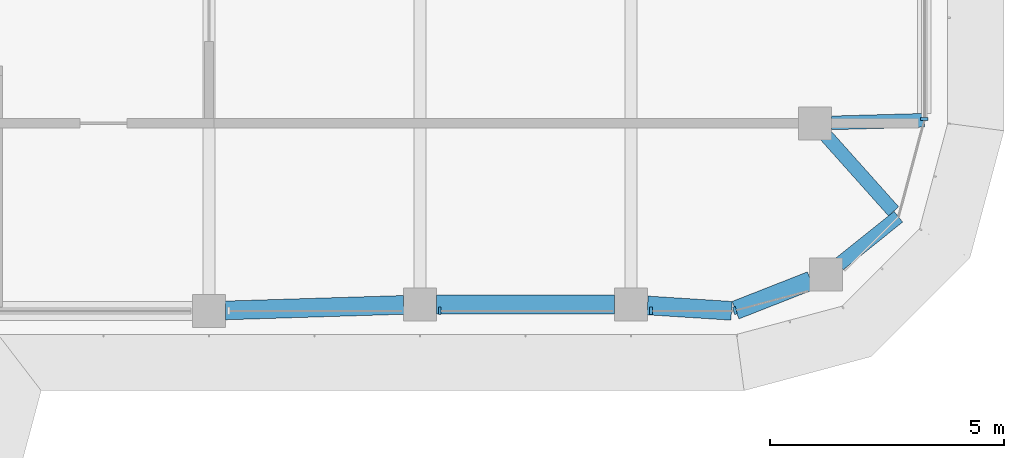
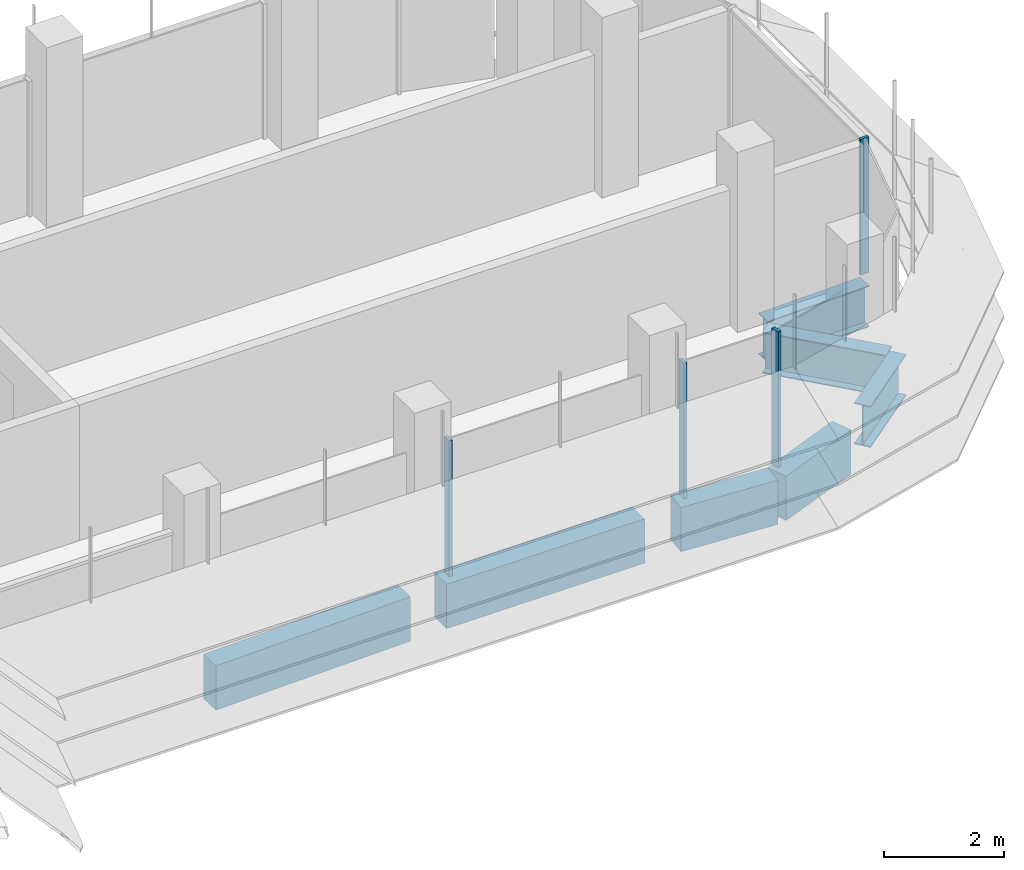
# One storey, part 5 of 19: 7 beams, 4 members, 3 elements without a shape of their own.
"""IFC4 building model written with IfcOpenShell, lengths in metres."""

from ifc_helpers import new_model, si_unit, direction, frame, origin, origin_2d, place, context, subcontext, project, spatial, polyline, rectangle, i_section, outline, extrude, source, transform, mapped, material, material_profile, profile_set, type_object, element, aggregate, save


model = new_model("IFC4")

# Units and contexts
model_context = context("Model", 3, precision=1e-05, world=origin(), true_north=direction((0.0, 1.0)))
body_context = subcontext(model_context, "Body", "Model", "MODEL_VIEW")
ifc_project = project(units=[si_unit("LENGTHUNIT", "METRE"), si_unit("AREAUNIT", "SQUARE_METRE"), si_unit("VOLUMEUNIT", "CUBIC_METRE"), si_unit("PLANEANGLEUNIT", "RADIAN"), si_unit("MASSUNIT", "GRAM", prefix="KILO")], contexts=[model_context])

# Site, building, storey
site_placement = place(None, origin())
site = spatial("IfcSite", under=ifc_project, at=site_placement, CompositionType="ELEMENT")
building_placement = place(site_placement, origin())
building = spatial("IfcBuilding", under=site, at=building_placement, Name="Zarbagh Exchange Tower", CompositionType="ELEMENT")
storey_placement = place(building_placement, frame((0.0, 0.0, 233.39990234375)))
storey = spatial("IfcBuildingStorey", under=building, at=storey_placement, Name="L57", CompositionType="ELEMENT", Elevation=233.39990234375)

# Beams
ifc_material_1 = material(Name="Steel ASTM A992 Gr 50", Category="steel")
ifc_material_profile_1 = material_profile(ifc_material_1, i_section(OverallWidth=0.2919921875, OverallDepth=0.835693359375, WebThickness=0.013916015625, FlangeThickness=0.018798828125, at=origin_2d()), Name="W33X118")
ifc_profile_set_1 = profile_set([ifc_material_profile_1], Name="Steel ASTM A992 Gr 50")
beam_type_1 = type_object("IfcBeamType", Name="Floor girder W33X118", PredefinedType="BEAM", material=ifc_profile_set_1)
beam_1_placement = place(storey_placement, frame((31.0, -2.18408203125, -0.567626953125), z_axis=(-0.999601581355, -0.028225494714, 0.0), x_axis=(0.028225494714, -0.999601581355, 0.0)))
element("IfcBeam", 1, at=beam_1_placement, inside=storey, type_object=beam_type_1, Name="Steel girder", PredefinedType="BEAM", context=body_context, shape_type="SweptSolid", body=[
    extrude(i_section(OverallWidth=0.2919921875, OverallDepth=0.835693359375, WebThickness=0.013916015625, FlangeThickness=0.018798828125, at=origin_2d()), origin(), (0.0, 0.0, 1.0), 1.980712890625),
])
beam_2_placement = place(storey_placement, frame((28.9033203125, -2.510986328125, -0.567626953125), z_axis=(0.666194955403, -0.745777635355, 0.0), x_axis=(0.745777635355, 0.666194955403, 0.0)))
element("IfcBeam", 2, at=beam_2_placement, inside=storey, type_object=beam_type_1, Name="Steel girder", PredefinedType="BEAM", context=body_context, shape_type="SweptSolid", body=[
    extrude(i_section(OverallWidth=0.2919921875, OverallDepth=0.835693359375, WebThickness=0.013916015625, FlangeThickness=0.018798828125, at=origin_2d()), origin(), (0.0, 0.0, 1.0), 2.165771484375),
])
beam_3_placement = place(storey_placement, frame((30.44873046875, -4.2412109375, -0.567626953125), z_axis=(-0.780619385558, -0.625006699877, 0.0), x_axis=(0.625006699877, -0.780619385558, 0.0)))
element("IfcBeam", 3, at=beam_3_placement, inside=storey, type_object=beam_type_1, Name="Steel girder", PredefinedType="BEAM", context=body_context, shape_type="SweptSolid", body=[
    extrude(i_section(OverallWidth=0.2919921875, OverallDepth=0.835693359375, WebThickness=0.013916015625, FlangeThickness=0.018798828125, at=origin_2d()), origin(), (0.0, 0.0, 1.0), 1.623779296875),
])
ifc_material_2 = material(Name="Concrete C50/60", Category="concrete")
ifc_material_profile_2 = material_profile(ifc_material_2, rectangle(XDim=0.39990234375, YDim=0.89990234375, at=origin_2d()), Name="RC spandrel beam 400 x 900 C50/60")
ifc_profile_set_2 = profile_set([ifc_material_profile_2], Name="Concrete C50/60")
beam_type_2 = type_object("IfcBeamType", Name="RC spandrel beam 400 x 900 C50/60", PredefinedType="SPANDREL", material=ifc_profile_set_2)
beam_4_placement = place(storey_placement, frame((28.582275390625, -5.602783203125, -0.599853515625), z_axis=(-0.930818525178, -0.365481700207, 0.0), x_axis=(0.365481700207, -0.930818525178, 0.0)))
element("IfcBeam", 4, at=beam_4_placement, inside=storey, type_object=beam_type_2, Name="RC spandrel beam", PredefinedType="SPANDREL", context=body_context, shape_type="SweptSolid", body=[
    extrude(rectangle(XDim=0.39990234375, YDim=0.89990234375, at=origin_2d()), origin(), (0.0, 0.0, 1.0), 1.72607421875),
])
beam_5_placement = place(storey_placement, frame((26.8896484375, -6.247314453125, -0.599853515625), z_axis=(-0.997943601797, 0.064098109429, 0.0), x_axis=(-0.064098109429, -0.997943601797, 0.0)))
element("IfcBeam", 5, at=beam_5_placement, inside=storey, type_object=beam_type_2, Name="RC spandrel beam", PredefinedType="SPANDREL", context=body_context, shape_type="SweptSolid", body=[
    extrude(rectangle(XDim=0.39990234375, YDim=0.89990234375, at=origin_2d()), origin(), (0.0, 0.0, 1.0), 1.7939453125),
])
beam_6_placement = place(storey_placement, frame((24.39990234375, -6.110107421875, -0.599853515625), z_axis=(-1.0, 0.0, 0.0), x_axis=(0.0, -1.0, 0.0)))
element("IfcBeam", 6, at=beam_6_placement, inside=storey, type_object=beam_type_2, Name="RC spandrel beam", PredefinedType="SPANDREL", context=body_context, shape_type="SweptSolid", body=[
    extrude(rectangle(XDim=0.39990234375, YDim=0.89990234375, at=origin_2d()), origin(), (0.0, 0.0, 1.0), 3.7998046875),
])
beam_7_placement = place(storey_placement, frame((19.900146484375, -6.120849609375, -0.599853515625), z_axis=(-0.999516950199, -0.031078389046, 0.0), x_axis=(0.031078389046, -0.999516950199, 0.0)))
element("IfcBeam", 7, at=beam_7_placement, inside=storey, type_object=beam_type_2, Name="RC spandrel beam", PredefinedType="SPANDREL", context=body_context, shape_type="SweptSolid", body=[
    extrude(rectangle(XDim=0.39990234375, YDim=0.89990234375, at=origin_2d()), origin(), (0.0, 0.0, 1.0), 3.80224609375),
])

# Curtain wall, members
ifc_material_3 = material(Name="Anodised aluminium frame and glazing", Category="aluminium")
curtain_wall_type = type_object("IfcCurtainWallType", Name="CWB Ribbon glazing, upper zones", PredefinedType="NOTDEFINED", material=ifc_material_3)
curtain_wall_1_placement = place(storey_placement, origin())
curtain_wall_1 = element("IfcCurtainWall", 8, at=curtain_wall_1_placement, inside=storey, type_object=curtain_wall_type, Name="CWB08 curtain wall", PredefinedType="NOTDEFINED")
ifc_material_4 = material(Name="Anodised aluminium frame", Category="aluminium")
member_type = type_object("IfcMemberType", Name="MUB Mullion, anodised aluminium frame", PredefinedType="MULLION", material=ifc_material_4)
shared_shape = source(origin(), body_context, "Body", "SweptSolid", [
    extrude(outline(polyline([(0.0, -0.080078125), (0.06005859375, -0.080078125), (0.06005859375, 0.080078125), (0.0, 0.080078125), (0.0, -0.080078125)])), origin(), (0.0, 0.0, 1.0), 2.75),
])
placement = place(storey_placement, origin())
member_1 = element("IfcMember", 9, at=placement, type_object=member_type, Name="CWB08 mullion 3.1", PredefinedType="MULLION", context=body_context, shape_type="MappedRepresentation", body=[
    mapped(shared_shape, transform((20.64013671875, -6.25, 0.0), x_axis=(1.0, 0.0, 0.0), y_axis=(0.0, 1.0, 0.0), z_axis=(0.0, 0.0, 1.0))),
])
member_2 = element("IfcMember", 10, at=placement, type_object=member_type, Name="CWB08 mullion 4.1", PredefinedType="MULLION", context=body_context, shape_type="MappedRepresentation", body=[
    mapped(shared_shape, transform((25.14013671875, -6.25, 0.0), x_axis=(1.0, 0.0, 0.0), y_axis=(0.0, 1.0, 0.0), z_axis=(0.0, 0.0, 1.0))),
])
aggregate(curtain_wall_1, [member_1, member_2])

# Curtain wall, member
curtain_wall_2_placement = place(storey_placement, origin())
curtain_wall_2 = element("IfcCurtainWall", 11, at=curtain_wall_2_placement, inside=storey, type_object=curtain_wall_type, Name="CWB09 curtain wall", PredefinedType="NOTDEFINED")
member_3 = element("IfcMember", 12, at=placement, type_object=member_type, Name="CWB09 mullion 1.1", PredefinedType="MULLION", context=body_context, shape_type="MappedRepresentation", body=[
    mapped(shared_shape, transform((26.93408203125, -6.25, 0.0), x_axis=(0.965924289636, 0.258824779902, 0.0), y_axis=(-0.258824779902, 0.965924289636, 0.0), z_axis=(0.0, 0.0, 1.0))),
])
aggregate(curtain_wall_2, [member_3])

curtain_wall_3_placement = place(storey_placement, origin())
curtain_wall_3 = element("IfcCurtainWall", 13, at=curtain_wall_3_placement, inside=storey, type_object=curtain_wall_type, Name="CWB12 curtain wall", PredefinedType="NOTDEFINED")
member_4 = element("IfcMember", 14, at=placement, type_object=member_type, Name="CWB12 mullion 1.1", PredefinedType="MULLION", context=body_context, shape_type="MappedRepresentation", body=[
    mapped(shared_shape, transform((31.0, -2.18408203125, 0.0), x_axis=(0.0, 1.0, 0.0), y_axis=(-1.0, 0.0, 0.0), z_axis=(0.0, 0.0, 1.0))),
])
aggregate(curtain_wall_3, [member_4])

save(model, "model.ifc")
